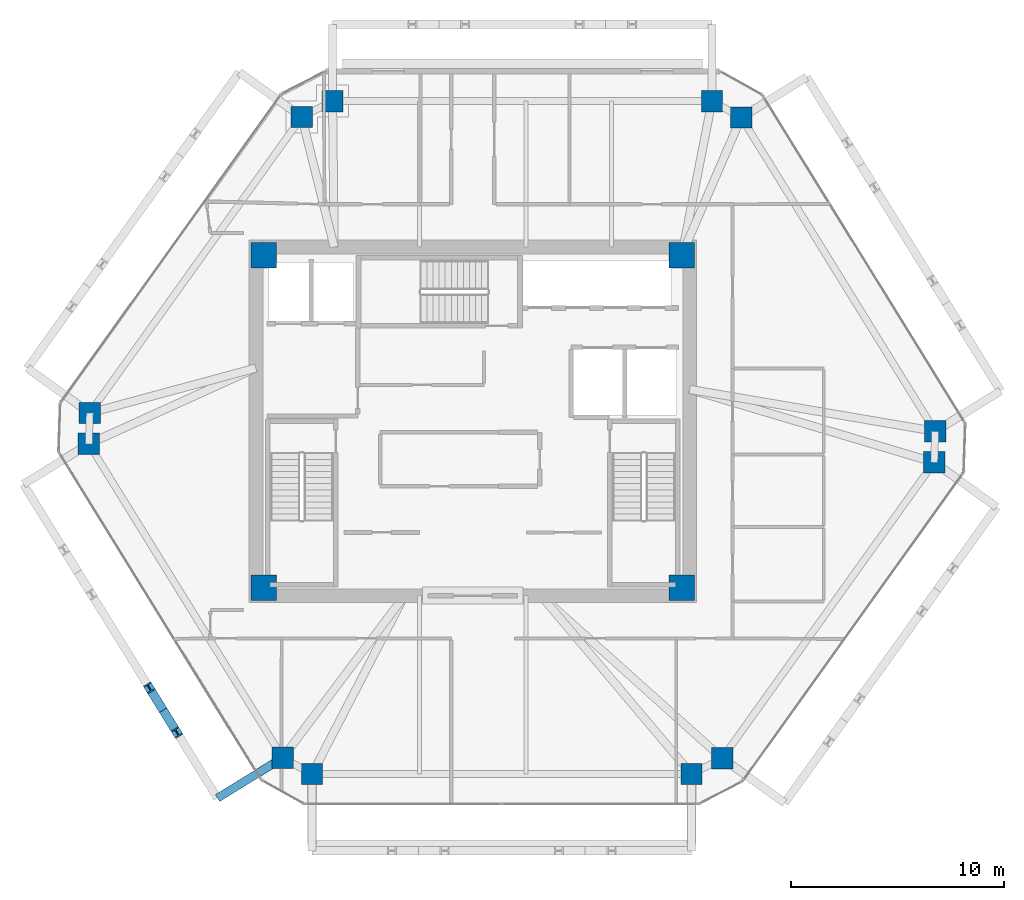
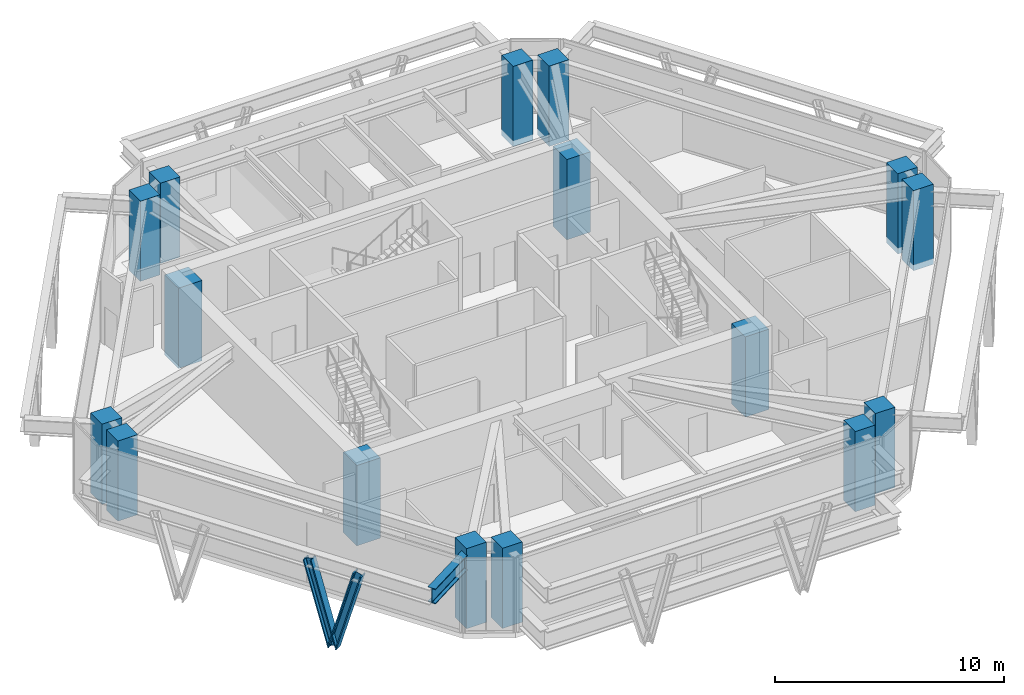
# One storey, part 1 of 11: 16 columns, 2 members, 1 beam.
"""IFC4 building model written with IfcOpenShell, lengths in metres."""

from ifc_helpers import new_model, si_unit, direction, frame, origin, origin_2d, place, context, subcontext, project, spatial, rectangle, i_section, extrude, source, transform, mapped, material, material_profile, profile_set, type_object, type_shapes, element, save


model = new_model("IFC4")

# Units and contexts
model_context = context("Model", 3, precision=1e-05, world=origin(), true_north=direction((0.0, 1.0)))
body_context = subcontext(model_context, "Body", "Model", "MODEL_VIEW")
ifc_project = project(units=[si_unit("LENGTHUNIT", "METRE"), si_unit("AREAUNIT", "SQUARE_METRE"), si_unit("VOLUMEUNIT", "CUBIC_METRE"), si_unit("PLANEANGLEUNIT", "RADIAN"), si_unit("MASSUNIT", "GRAM", prefix="KILO")], contexts=[model_context])

# Site, building, storey
site_placement = place(None, origin())
site = spatial("IfcSite", under=ifc_project, at=site_placement, CompositionType="ELEMENT")
building_placement = place(site_placement, origin())
building = spatial("IfcBuilding", under=site, at=building_placement, Name="Durnholm Broadcast Tower", CompositionType="ELEMENT")
storey_placement = place(building_placement, frame((0.0, 0.0, 155.10009765625)))
storey = spatial("IfcBuildingStorey", under=building, at=storey_placement, Name="L42", CompositionType="ELEMENT", Elevation=155.10009765625)

# Columns
ifc_material_1 = material(Name="Concrete C70/85", Category="concrete")
ifc_material_profile_1 = material_profile(ifc_material_1, rectangle(XDim=1.199951171875, YDim=1.199951171875, at=origin_2d()), Name="RC1200X1200")
ifc_profile_set_1 = profile_set([ifc_material_profile_1], Name="Concrete C70/85")
column_type_1 = type_object("IfcColumnType", Name="COL-CC-1200", PredefinedType="COLUMN", material=ifc_profile_set_1)
shared_shape_1 = source(origin(), body_context, "Body", "SweptSolid", [
    extrude(rectangle(XDim=1.199951171875, YDim=1.199951171875, at=origin_2d()), origin(), (0.0, 0.0, 1.0), 4.280029296875),
])
type_shapes(column_type_1, [shared_shape_1])
for number, where, z_axis, x_axis, name in (
    (1, (-9.800048828125, -7.800048828125, -0.320068359375), (0.0, 0.0, 1.0), (1.0, 0.0, 0.0), "L42 core corner column 1"),
    (2, (9.800048828125, -7.800048828125, -0.320068359375), (0.0, 0.0, 1.0), (1.0, 0.0, 0.0), "L42 core corner column 2"),
    (3, (9.800048828125, 7.800048828125, -0.320068359375), (0.0, 0.0, 1.0), (1.0, 0.0, 0.0), "L42 core corner column 3"),
    (4, (-9.800048828125, 7.800048828125, -0.320068359375), (0.0, 0.0, 1.0), (1.0, 0.0, 0.0), "L42 core corner column 4"),
):
    element("IfcColumn", number, at=place(storey_placement, frame(where, z_axis=z_axis, x_axis=x_axis)), inside=storey, type_object=column_type_1, Name=name, PredefinedType="COLUMN", context=body_context, shape_type="MappedRepresentation", body=[
        mapped(shared_shape_1, transform((0.0, 0.0, 0.0), x_axis=(1.0, 0.0, 0.0), y_axis=(0.0, 1.0, 0.0), z_axis=(0.0, 0.0, 1.0), scale=1.0)),
    ])
ifc_material_profile_2 = material_profile(ifc_material_1, rectangle(XDim=1.0, YDim=1.0, at=origin_2d()), Name="RC1000X1000")
ifc_profile_set_2 = profile_set([ifc_material_profile_2], Name="Concrete C70/85")
column_type_2 = type_object("IfcColumnType", Name="COL-CC-1000", PredefinedType="COLUMN", material=ifc_profile_set_2)
shared_shape_2 = source(origin(), body_context, "Body", "SweptSolid", [
    extrude(rectangle(XDim=1.0, YDim=1.0, at=origin_2d()), origin(), (0.0, 0.0, 1.0), 4.280029296875),
])
type_shapes(column_type_2, [shared_shape_2])
for number, where, z_axis, x_axis, name in (
    (5, (-8.91259765625, -15.7763671875, -0.320068359375), (0.0, 0.0, 1.0), (1.0, 0.0, 0.0), "L42 perimeter hexagonal tube column 01"),
    (6, (-18.009033203125, -1.056640625, -0.320068359375), (0.0, 0.0, 1.0), (1.0, 0.0, 0.0), "L42 perimeter hexagonal tube column 02"),
    (7, (-17.9599609375, 0.3955078125, -0.320068359375), (0.0, 0.0, 1.0), (1.0, 0.0, 0.0), "L42 perimeter hexagonal tube column 03"),
    (8, (-8.021728515625, 14.2763671875, -0.320068359375), (0.0, 0.0, 1.0), (1.0, 0.0, 0.0), "L42 perimeter hexagonal tube column 04"),
    (9, (-6.57861328125, 15.01806640625, -0.320068359375), (0.0, 0.0, 1.0), (1.0, 0.0, 0.0), "L42 perimeter hexagonal tube column 05"),
    (10, (11.217529296875, 15.01806640625, -0.320068359375), (0.0, 0.0, 1.0), (1.0, 0.0, 0.0), "L42 perimeter hexagonal tube column 06"),
    (11, (12.5908203125, 14.252197265625, -0.320068359375), (0.0, 0.0, 1.0), (1.0, 0.0, 0.0), "L42 perimeter hexagonal tube column 07"),
    (12, (21.68701171875, -0.46728515625, -0.320068359375), (0.0, 0.0, 1.0), (1.0, 0.0, 0.0), "L42 perimeter hexagonal tube column 08"),
    (13, (21.637939453125, -1.919677734375, -0.320068359375), (0.0, 0.0, 1.0), (1.0, 0.0, 0.0), "L42 perimeter hexagonal tube column 09"),
    (14, (11.69970703125, -15.80029296875, -0.320068359375), (0.0, 0.0, 1.0), (1.0, 0.0, 0.0), "L42 perimeter hexagonal tube column 10"),
    (15, (10.256591796875, -16.5419921875, -0.320068359375), (0.0, 0.0, 1.0), (1.0, 0.0, 0.0), "L42 perimeter hexagonal tube column 11"),
    (16, (-7.53955078125, -16.5419921875, -0.320068359375), (0.0, 0.0, 1.0), (1.0, 0.0, 0.0), "L42 perimeter hexagonal tube column 12"),
):
    element("IfcColumn", number, at=place(storey_placement, frame(where, z_axis=z_axis, x_axis=x_axis)), inside=storey, type_object=column_type_2, Name=name, PredefinedType="COLUMN", context=body_context, shape_type="MappedRepresentation", body=[
        mapped(shared_shape_2, transform((0.0, 0.0, 0.0), x_axis=(1.0, 0.0, 0.0), y_axis=(0.0, 1.0, 0.0), z_axis=(0.0, 0.0, 1.0), scale=1.0)),
    ])

# Beam
ifc_material_2 = material(Name="Steel ASTM A992 Grade 50", Category="steel")
ifc_material_profile_3 = material_profile(ifc_material_2, i_section(OverallWidth=0.385009765625, OverallDepth=0.802978515625, WebThickness=0.023681640625, FlangeThickness=0.0419921875, FilletRadius=0.032958984375, at=origin_2d()), Name="W30X261")
ifc_profile_set_3 = profile_set([ifc_material_profile_3], Name="Steel ASTM A992 Grade 50")
beam_type = type_object("IfcBeamType", Name="BM-EXO-TIE", PredefinedType="USERDEFINED", material=ifc_profile_set_3)
shared_shape_3 = source(origin(), body_context, "Body", "SweptSolid", [
    extrude(i_section(OverallWidth=0.385009765625, OverallDepth=0.802978515625, WebThickness=0.023681640625, FlangeThickness=0.0419921875, FilletRadius=0.032958984375, at=origin_2d()), origin(), (0.0, 0.0, 1.0), 3.4560546875),
])
type_shapes(beam_type, [shared_shape_3])
beam_placement = place(storey_placement, frame((-9.03515625, -15.85205078125, 3.20849609375), z_axis=(-0.850693939061, -0.525661318764, 0.0), x_axis=(0.525661318764, -0.850693939061, 0.0)))
element("IfcBeam", 17, at=beam_placement, inside=storey, type_object=beam_type, Name="L42 exoskeleton stand-off tie bracket F6.2", ObjectType="GIRDER", PredefinedType="USERDEFINED", context=body_context, shape_type="MappedRepresentation", body=[
    mapped(shared_shape_3, transform((0.0, 0.0, 0.0), x_axis=(1.0, 0.0, 0.0), y_axis=(0.0, 1.0, 0.0), z_axis=(0.0, 0.0, 1.0), scale=1.0)),
])

# Members
ifc_material_3 = material(Name="Steel ASTM A913 Grade 65", Category="steel")
ifc_material_profile_4 = material_profile(ifc_material_3, i_section(OverallWidth=0.412109375, OverallDepth=0.434814453125, WebThickness=0.035888671875, FlangeThickness=0.057373046875, FilletRadius=0.030517578125, at=origin_2d()), Name="W14X311")
ifc_profile_set_4 = profile_set([ifc_material_profile_4], Name="Steel ASTM A913 Grade 65")
member_type = type_object("IfcMemberType", Name="STL-DG-W14X311", PredefinedType="BRACE", material=ifc_profile_set_4)
shared_shape_4 = source(origin(), body_context, "Body", "SweptSolid", [
    extrude(i_section(OverallWidth=0.412109375, OverallDepth=0.434814453125, WebThickness=0.035888671875, FlangeThickness=0.057373046875, FilletRadius=0.030517578125, at=origin_2d()), origin(), (0.0, 0.0, 1.0), 4.454345703125),
])
type_shapes(member_type, [shared_shape_4])
for number, where, z_axis, x_axis, name in (
    (18, (-14.522216796875, -13.54736328125, -1.071533203125), (-0.145575950703, 0.235629146111, 0.960878008948), (-0.850732935913, -0.525598203719, 0.0), "L42 stand-off diagrid brace F6.D2.1"),
    (19, (-14.522216796875, -13.54736328125, -1.071533203125), (0.145629598725, -0.235627265683, 0.960870340703), (0.850644447398, 0.525741404219, 0.0), "L42 stand-off diagrid brace F6.D2.2"),
):
    element("IfcMember", number, at=place(storey_placement, frame(where, z_axis=z_axis, x_axis=x_axis)), inside=storey, type_object=member_type, Name=name, PredefinedType="BRACE", context=body_context, shape_type="MappedRepresentation", body=[
        mapped(shared_shape_4, transform((0.0, 0.0, 0.0), x_axis=(1.0, 0.0, 0.0), y_axis=(0.0, 1.0, 0.0), z_axis=(0.0, 0.0, 1.0), scale=1.0)),
    ])

save(model, "model.ifc")
